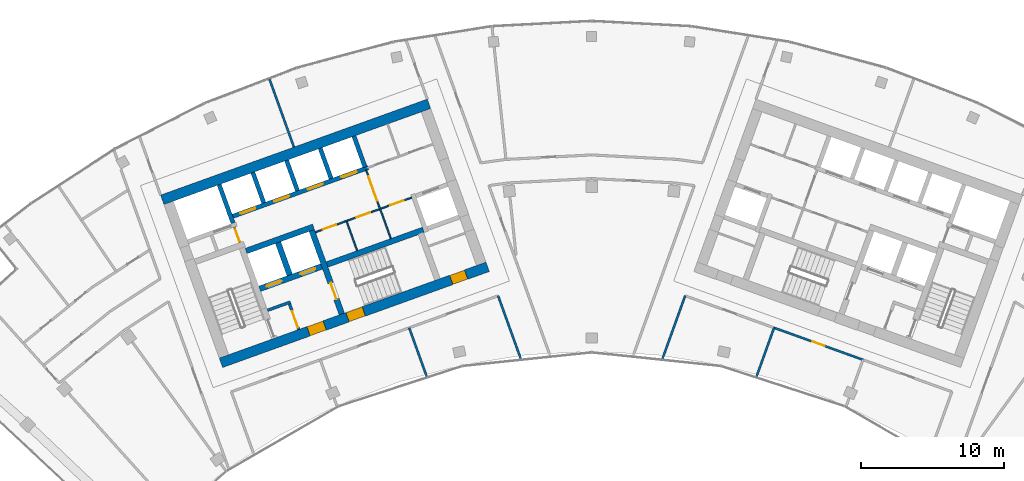
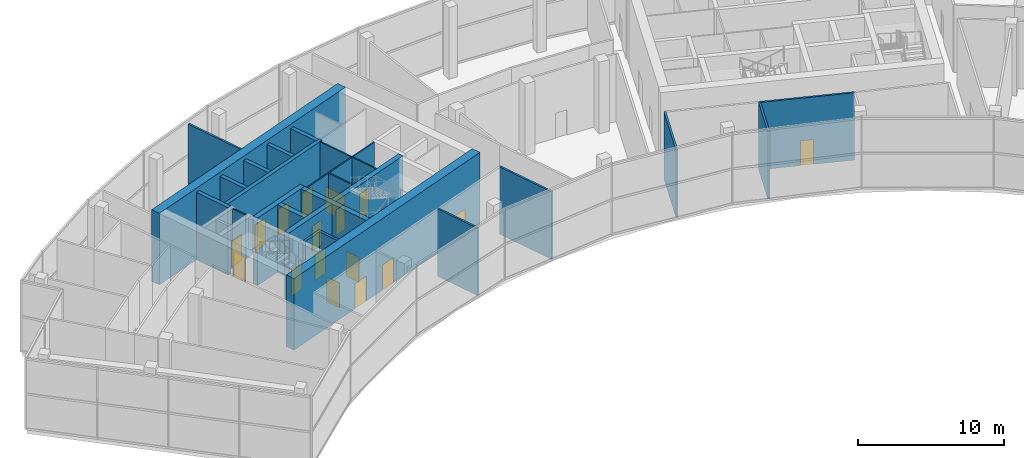
# One storey, part 12 of 18: 24 walls, 17 doors, 17 openings.
"""IFC4 building model written with IfcOpenShell, lengths in metres."""

from ifc_helpers import new_model, si_unit, direction, frame, frame_2d, origin, place, context, subcontext, project, spatial, rectangle, extrude, material, layer, layer_set, type_object, element, fill, save


model = new_model("IFC4")

# Units and contexts
model_context = context("Model", 3, precision=1e-05, world=origin(), true_north=direction((0.0, 1.0)))
body_context = subcontext(model_context, "Body", "Model", "MODEL_VIEW")
ifc_project = project(units=[si_unit("LENGTHUNIT", "METRE"), si_unit("AREAUNIT", "SQUARE_METRE"), si_unit("VOLUMEUNIT", "CUBIC_METRE"), si_unit("PLANEANGLEUNIT", "RADIAN"), si_unit("MASSUNIT", "GRAM", prefix="KILO")], contexts=[model_context])

# Site, building, storey
site_placement = place(None, origin())
site = spatial("IfcSite", under=ifc_project, at=site_placement, CompositionType="ELEMENT")
building_placement = place(site_placement, origin())
building = spatial("IfcBuilding", under=site, at=building_placement, Name="Stone Belt Terrace Tower", CompositionType="ELEMENT")
storey_placement = place(building_placement, frame((0.0, 0.0, 307.39990234375)))
storey = spatial("IfcBuildingStorey", under=building, at=storey_placement, Name="L75", CompositionType="ELEMENT", Elevation=307.39990234375)

# Wall, opening, door
ifc_material_1 = material(Name="Plasterboard partition")
ifc_layer_1 = layer(ifc_material_1, 0.10009765625)
ifc_layer_set_1 = layer_set([ifc_layer_1], Name="Core partition 100")
wall_type_1 = type_object("IfcWallType", Name="Core partition 100", PredefinedType="PARTITIONING", material=ifc_layer_set_1)
wall_1_placement = place(storey_placement, frame((-24.555908203125, 51.10400390625, 0.0), z_axis=(0.0, 0.0, 1.0), x_axis=(-0.338621735342, 0.94092258999, 0.0)))
wall_1 = element("IfcWall", 1, at=wall_1_placement, inside=storey, type_object=wall_type_1, Name="Core A wall", PredefinedType="PARTITIONING", context=body_context, shape_type="SweptSolid", body=[
    extrude(rectangle(XDim=1.14990234375, YDim=0.10009765625, at=frame_2d((0.574951171875, 0.0))), origin(), (0.0, 0.0, 1.0), 5.650146484375),
])
opening_1_placement = place(wall_1_placement, frame((0.050048828125, 0.0, 0.0)))
opening_1 = element("IfcOpeningElement", 2, at=opening_1_placement, cuts=wall_1, Name="Opening L75-C07", PredefinedType="OPENING", context=body_context, shape_type="SweptSolid", body=[
    extrude(rectangle(XDim=1.0, YDim=2.10009765625, at=frame_2d((0.5, 1.050048828125))), frame((0.0, 0.06005859375, 0.0), z_axis=(0.0, -1.0, 0.0), x_axis=(1.0, 0.0, 0.0)), (0.0, 0.0, 1.0), 0.1201171875),
])
ifc_material_2 = material(Name="Timber door leaf", Category="wood")
door_type_1 = type_object("IfcDoorType", Name="Core room door 1000", OperationType="SINGLE_SWING_LEFT", PredefinedType="DOOR", material=ifc_material_2)
door_1_placement = place(opening_1_placement, origin())
door_1 = element("IfcDoor", 3, at=door_1_placement, inside=storey, type_object=door_type_1, Name="Service lift lobby door core A", OperationType="SINGLE_SWING_LEFT", OverallHeight=2.10009765625, OverallWidth=1.0, PredefinedType="DOOR", context=body_context, shape_type="SweptSolid", body=[
    extrude(rectangle(XDim=1.0, YDim=2.10009765625, at=frame_2d((0.5, 1.050048828125))), frame((0.0, 0.02490234375, 0.0), z_axis=(0.0, -1.0, 0.0), x_axis=(1.0, 0.0, 0.0)), (0.0, 0.0, 1.0), 0.050048828125),
])
fill(opening_1, door_1)

# Wall, openings, doors
wall_2_placement = place(storey_placement, frame((-19.29052734375, 51.829833984375, 0.0), z_axis=(0.0, 0.0, 1.0), x_axis=(0.94092179465, 0.338623945331, 0.0)))
wall_2 = element("IfcWall", 4, at=wall_2_placement, inside=storey, type_object=wall_type_1, Name="Core A wall", PredefinedType="PARTITIONING", context=body_context, shape_type="SweptSolid", body=[
    extrude(rectangle(XDim=7.14990234375, YDim=0.10009765625, at=frame_2d((3.574951171875, 0.0))), origin(), (0.0, 0.0, 1.0), 5.650146484375),
])
opening_2_placement = place(wall_2_placement, frame((0.550048828125, 0.0, 0.0)))
opening_2 = element("IfcOpeningElement", 5, at=opening_2_placement, cuts=wall_2, Name="Opening L75-C03", PredefinedType="OPENING", context=body_context, shape_type="SweptSolid", body=[
    extrude(rectangle(XDim=1.0, YDim=2.10009765625, at=frame_2d((0.5, 1.050048828125))), frame((0.0, 0.06005859375, 0.0), z_axis=(0.0, -1.0, 0.0), x_axis=(1.0, 0.0, 0.0)), (0.0, 0.0, 1.0), 0.1201171875),
])
opening_3_placement = place(wall_2_placement, frame((3.050048828125, 0.0, 0.0)))
opening_3 = element("IfcOpeningElement", 6, at=opening_3_placement, cuts=wall_2, Name="Opening L75-C04", PredefinedType="OPENING", context=body_context, shape_type="SweptSolid", body=[
    extrude(rectangle(XDim=1.0, YDim=2.10009765625, at=frame_2d((0.5, 1.050048828125))), frame((0.0, 0.06005859375, 0.0), z_axis=(0.0, -1.0, 0.0), x_axis=(1.0, 0.0, 0.0)), (0.0, 0.0, 1.0), 0.1201171875),
])
opening_4_placement = place(wall_2_placement, frame((5.550048828125, 0.0, 0.0)))
opening_4 = element("IfcOpeningElement", 7, at=opening_4_placement, cuts=wall_2, Name="Opening L75-C05", PredefinedType="OPENING", context=body_context, shape_type="SweptSolid", body=[
    extrude(rectangle(XDim=1.0, YDim=2.10009765625, at=frame_2d((0.5, 1.050048828125))), frame((0.0, 0.06005859375, 0.0), z_axis=(0.0, -1.0, 0.0), x_axis=(1.0, 0.0, 0.0)), (0.0, 0.0, 1.0), 0.1201171875),
])
door_2_placement = place(opening_2_placement, origin())
door_2 = element("IfcDoor", 8, at=door_2_placement, inside=storey, type_object=door_type_1, Name="Door to Ventilation plant room core A", OperationType="SINGLE_SWING_LEFT", OverallHeight=2.10009765625, OverallWidth=1.0, PredefinedType="DOOR", context=body_context, shape_type="SweptSolid", body=[
    extrude(rectangle(XDim=1.0, YDim=2.10009765625, at=frame_2d((0.5, 1.050048828125))), frame((0.0, 0.02490234375, 0.0), z_axis=(0.0, -1.0, 0.0), x_axis=(1.0, 0.0, 0.0)), (0.0, 0.0, 1.0), 0.050048828125),
])
fill(opening_2, door_2)
door_3_placement = place(opening_3_placement, origin())
door_3 = element("IfcDoor", 9, at=door_3_placement, inside=storey, type_object=door_type_1, Name="Door to Services store core A", OperationType="SINGLE_SWING_RIGHT", OverallHeight=2.10009765625, OverallWidth=1.0, PredefinedType="DOOR", context=body_context, shape_type="SweptSolid", body=[
    extrude(rectangle(XDim=1.0, YDim=2.10009765625, at=frame_2d((0.5, 1.050048828125))), frame((0.0, 0.02490234375, 0.0), z_axis=(0.0, -1.0, 0.0), x_axis=(1.0, 0.0, 0.0)), (0.0, 0.0, 1.0), 0.050048828125),
])
fill(opening_3, door_3)
door_4_placement = place(opening_4_placement, origin())
door_4 = element("IfcDoor", 10, at=door_4_placement, inside=storey, type_object=door_type_1, Name="Door to Server room core A", OperationType="SINGLE_SWING_LEFT", OverallHeight=2.10009765625, OverallWidth=1.0, PredefinedType="DOOR", context=body_context, shape_type="SweptSolid", body=[
    extrude(rectangle(XDim=1.0, YDim=2.10009765625, at=frame_2d((0.5, 1.050048828125))), frame((0.0, 0.02490234375, 0.0), z_axis=(0.0, -1.0, 0.0), x_axis=(1.0, 0.0, 0.0)), (0.0, 0.0, 1.0), 0.050048828125),
])
fill(opening_4, door_4)

# Wall
wall_3_placement = place(storey_placement, frame((-16.38134765625, 50.53857421875, 0.0), z_axis=(0.0, 0.0, 1.0), x_axis=(-0.338622960269, 0.940922149159, 0.0)))
element("IfcWall", 11, at=wall_3_placement, inside=storey, type_object=wall_type_1, Name="Core A wall", PredefinedType="PARTITIONING", context=body_context, shape_type="SweptSolid", body=[
    extrude(rectangle(XDim=2.14990234375, YDim=0.10009765625, at=frame_2d((1.074951171875, 0.0))), origin(), (0.0, 0.0, 1.0), 5.650146484375),
])

# Wall, opening, door
wall_4_placement = place(storey_placement, frame((-14.029052734375, 51.38525390625, 0.0), z_axis=(0.0, 0.0, 1.0), x_axis=(-0.338643184627, 0.940914870488, 0.0)))
wall_4 = element("IfcWall", 12, at=wall_4_placement, inside=storey, type_object=wall_type_1, Name="Core A wall", PredefinedType="PARTITIONING", context=body_context, shape_type="SweptSolid", body=[
    extrude(rectangle(XDim=5.099853515625, YDim=0.10009765625, at=frame_2d((2.5498046875, 0.0))), origin(), (0.0, 0.0, 1.0), 5.650146484375),
])
opening_5_placement = place(wall_4_placement, frame((2.800048828125, 0.0, 0.0)))
opening_5 = element("IfcOpeningElement", 13, at=opening_5_placement, cuts=wall_4, Name="Opening L75-C08", PredefinedType="OPENING", context=body_context, shape_type="SweptSolid", body=[
    extrude(rectangle(XDim=1.800048828125, YDim=2.10009765625, at=frame_2d((0.89990234375, 1.050048828125))), frame((0.0, 0.06005859375, 0.0), z_axis=(0.0, -1.0, 0.0), x_axis=(1.0, 0.0, 0.0)), (0.0, 0.0, 1.0), 0.1201171875),
])
ifc_material_3 = material(Name="Glazed aluminium door leaf", Category="aluminium")
door_type_2 = type_object("IfcDoorType", Name="Lift lobby entrance door 1800", OperationType="DOUBLE_DOOR_SINGLE_SWING", PredefinedType="DOOR", material=ifc_material_3)
door_5_placement = place(opening_5_placement, origin())
door_5 = element("IfcDoor", 14, at=door_5_placement, inside=storey, type_object=door_type_2, Name="Lift lobby double door core A", OperationType="DOUBLE_DOOR_SINGLE_SWING", OverallHeight=2.10009765625, OverallWidth=1.800048828125, PredefinedType="DOOR", context=body_context, shape_type="SweptSolid", body=[
    extrude(rectangle(XDim=1.800048828125, YDim=2.10009765625, at=frame_2d((0.89990234375, 1.050048828125))), frame((0.0, 0.02490234375, 0.0), z_axis=(0.0, -1.0, 0.0), x_axis=(1.0, 0.0, 0.0)), (0.0, 0.0, 1.0), 0.050048828125),
])
fill(opening_5, door_5)

# Wall, openings, doors
ifc_material_4 = material(Name="Concrete B60", Category="concrete")
ifc_layer_2 = layer(ifc_material_4, 0.699951171875)
ifc_layer_set_2 = layer_set([ifc_layer_2], Name="Core wall 700 B60")
wall_type_2 = type_object("IfcWallType", Name="Core wall 700 B60", PredefinedType="SHEAR", material=ifc_layer_set_2)
wall_5_placement = place(storey_placement, frame((-25.890869140625, 42.705810546875, 0.0), z_axis=(0.0, 0.0, 1.0), x_axis=(0.940925130461, 0.338614676094, 0.0)))
wall_5 = element("IfcWall", 15, at=wall_5_placement, inside=storey, type_object=wall_type_2, Name="Core A wall concave L75", PredefinedType="SHEAR", context=body_context, shape_type="SweptSolid", body=[
    extrude(rectangle(XDim=19.800048828125, YDim=0.699951171875, at=frame_2d((9.89990234375, 0.0))), origin(), (0.0, 0.0, 1.0), 6.0),
])
opening_6_placement = place(wall_5_placement, frame((6.5, 0.0, 0.0)))
opening_6 = element("IfcOpeningElement", 16, at=opening_6_placement, cuts=wall_5, Name="Opening L75-C12", PredefinedType="OPENING", context=body_context, shape_type="SweptSolid", body=[
    extrude(rectangle(XDim=1.199951171875, YDim=2.10009765625, at=frame_2d((0.60009765625, 1.050048828125))), frame((0.0, 0.35986328125, 0.0), z_axis=(0.0, -1.0, 0.0), x_axis=(1.0, 0.0, 0.0)), (0.0, 0.0, 1.0), 0.719970703125),
])
opening_7_placement = place(wall_5_placement, frame((9.39990234375, 0.0, 0.0)))
opening_7 = element("IfcOpeningElement", 17, at=opening_7_placement, cuts=wall_5, Name="Opening L75-C14", PredefinedType="OPENING", context=body_context, shape_type="SweptSolid", body=[
    extrude(rectangle(XDim=1.199951171875, YDim=2.10009765625, at=frame_2d((0.60009765625, 1.050048828125))), frame((0.0, 0.35986328125, 0.0), z_axis=(0.0, -1.0, 0.0), x_axis=(1.0, 0.0, 0.0)), (0.0, 0.0, 1.0), 0.719970703125),
])
opening_8_placement = place(wall_5_placement, frame((17.10009765625, 0.0, 0.0)))
opening_8 = element("IfcOpeningElement", 18, at=opening_8_placement, cuts=wall_5, Name="Opening L75-C15", PredefinedType="OPENING", context=body_context, shape_type="SweptSolid", body=[
    extrude(rectangle(XDim=1.10009765625, YDim=2.10009765625, at=frame_2d((0.550048828125, 1.050048828125))), frame((0.0, 0.35986328125, 0.0), z_axis=(0.0, -1.0, 0.0), x_axis=(1.0, 0.0, 0.0)), (0.0, 0.0, 1.0), 0.719970703125),
])
door_type_3 = type_object("IfcDoorType", Name="Core room door 1100", OperationType="SINGLE_SWING_LEFT", PredefinedType="DOOR", material=ifc_material_2)
door_6_placement = place(opening_8_placement, origin())
door_6 = element("IfcDoor", 19, at=door_6_placement, inside=storey, type_object=door_type_3, Name="Door to Visitor accessible WC core A", OperationType="SINGLE_SWING_RIGHT", OverallHeight=2.10009765625, OverallWidth=1.10009765625, PredefinedType="DOOR", context=body_context, shape_type="SweptSolid", body=[
    extrude(rectangle(XDim=1.10009765625, YDim=2.10009765625, at=frame_2d((0.550048828125, 1.050048828125))), frame((0.0, 0.330078125, 0.0), z_axis=(0.0, -1.0, 0.0), x_axis=(1.0, 0.0, 0.0)), (0.0, 0.0, 1.0), 0.659912109375),
])
fill(opening_8, door_6)
ifc_material_5 = material(Name="Steel door leaf", Category="steel")
door_type_4 = type_object("IfcDoorType", Name="Fire-fighting lobby door 1200", OperationType="SINGLE_SWING_LEFT", PredefinedType="DOOR", material=ifc_material_5)
door_7_placement = place(opening_6_placement, origin())
door_7 = element("IfcDoor", 20, at=door_7_placement, inside=storey, type_object=door_type_4, Name="Fire-fighting lobby door core A", OperationType="SINGLE_SWING_LEFT", OverallHeight=2.10009765625, OverallWidth=1.199951171875, PredefinedType="DOOR", context=body_context, shape_type="SweptSolid", body=[
    extrude(rectangle(XDim=1.199951171875, YDim=2.10009765625, at=frame_2d((0.60009765625, 1.050048828125))), frame((0.0, 0.330078125, 0.0), z_axis=(0.0, -1.0, 0.0), x_axis=(1.0, 0.0, 0.0)), (0.0, 0.0, 1.0), 0.659912109375),
])
fill(opening_6, door_7)
door_type_5 = type_object("IfcDoorType", Name="Stair door 1200", OperationType="SINGLE_SWING_LEFT", PredefinedType="DOOR", material=ifc_material_5)
door_8_placement = place(opening_7_placement, origin())
door_8 = element("IfcDoor", 21, at=door_8_placement, inside=storey, type_object=door_type_5, Name="Stair 2 exit door core A", OperationType="SINGLE_SWING_RIGHT", OverallHeight=2.10009765625, OverallWidth=1.199951171875, PredefinedType="DOOR", context=body_context, shape_type="SweptSolid", body=[
    extrude(rectangle(XDim=1.199951171875, YDim=2.10009765625, at=frame_2d((0.60009765625, 1.050048828125))), frame((0.0, 0.330078125, 0.0), z_axis=(0.0, -1.0, 0.0), x_axis=(1.0, 0.0, 0.0)), (0.0, 0.0, 1.0), 0.659912109375),
])
fill(opening_7, door_8)

# Walls
wall_6_placement = place(storey_placement, frame((-29.988037109375, 54.0908203125, 0.0), z_axis=(0.0, 0.0, 1.0), x_axis=(0.940919787944, 0.33862952124, 0.0)))
element("IfcWall", 22, at=wall_6_placement, inside=storey, type_object=wall_type_2, Name="Core A wall convex L75", PredefinedType="SHEAR", context=body_context, shape_type="SweptSolid", body=[
    extrude(rectangle(XDim=19.7998046875, YDim=0.699951171875, at=frame_2d((9.89990234375, 0.0))), origin(), (0.0, 0.0, 1.0), 6.0),
])
ifc_material_6 = material(Name="Concrete B80", Category="concrete")
ifc_layer_3 = layer(ifc_material_6, 0.39990234375)
ifc_layer_set_3 = layer_set([ifc_layer_3], Name="Fire-fighting lift shaft wall 400")
wall_type_3 = type_object("IfcWallType", Name="Fire-fighting lift shaft wall 400", PredefinedType="SHEAR", material=ifc_layer_set_3)
wall_7_placement = place(storey_placement, frame((-24.130615234375, 50.512939453125, 0.0), z_axis=(0.0, 0.0, 1.0), x_axis=(0.94091168377, 0.338652038744, 0.0)))
element("IfcWall", 23, at=wall_7_placement, inside=storey, type_object=wall_type_3, Name="Core A wall", PredefinedType="SHEAR", context=body_context, shape_type="SweptSolid", body=[
    extrude(rectangle(XDim=5.000244140625, YDim=0.39990234375, at=frame_2d((2.5, 0.0))), origin(), (0.0, 0.0, 1.0), 5.650146484375),
])
wall_8_placement = place(storey_placement, frame((-21.0859375, 48.845458984375, 0.0), z_axis=(0.0, 0.0, 1.0), x_axis=(-0.338629416206, 0.940919825745, 0.0)))
element("IfcWall", 24, at=wall_8_placement, inside=storey, type_object=wall_type_3, Name="Core A wall", PredefinedType="SHEAR", context=body_context, shape_type="SweptSolid", body=[
    extrude(rectangle(XDim=2.400146484375, YDim=0.39990234375, at=frame_2d((1.2001953125, 0.0))), origin(), (0.0, 0.0, 1.0), 5.650146484375),
])
ifc_layer_4 = layer(ifc_material_6, 0.300048828125)
ifc_layer_set_4 = layer_set([ifc_layer_4], Name="Lift shaft wall 300")
wall_type_4 = type_object("IfcWallType", Name="Lift shaft wall 300", PredefinedType="SHEAR", material=ifc_layer_set_4)
wall_9_placement = place(storey_placement, frame((-25.046875, 52.46826171875, 0.0), z_axis=(0.0, 0.0, 1.0), x_axis=(-0.338549588058, 0.940948551423, 0.0)))
element("IfcWall", 25, at=wall_9_placement, inside=storey, type_object=wall_type_4, Name="Core A wall", PredefinedType="SHEAR", context=body_context, shape_type="SweptSolid", body=[
    extrude(rectangle(XDim=2.849853515625, YDim=0.300048828125, at=frame_2d((1.4248046875, 0.0))), origin(), (0.0, 0.0, 1.0), 5.650146484375),
])

# Wall, openings, doors
wall_10_placement = place(storey_placement, frame((-25.05810546875, 52.9423828125, 0.0), z_axis=(0.0, 0.0, 1.0), x_axis=(0.940917446785, 0.338636026339, 0.0)))
wall_10 = element("IfcWall", 26, at=wall_10_placement, inside=storey, type_object=wall_type_4, Name="Core A wall", PredefinedType="SHEAR", context=body_context, shape_type="SweptSolid", body=[
    extrude(rectangle(XDim=10.050048828125, YDim=0.300048828125, at=frame_2d((5.02490234375, 0.0))), origin(), (0.0, 0.0, 1.0), 5.650146484375),
])
opening_9_placement = place(wall_10_placement, frame((0.570068359375, 0.0, 0.0)))
opening_9 = element("IfcOpeningElement", 27, at=opening_9_placement, cuts=wall_10, Name="Opening L75-LD01", PredefinedType="OPENING", context=body_context, shape_type="SweptSolid", body=[
    extrude(rectangle(XDim=1.10009765625, YDim=2.199951171875, at=frame_2d((0.550048828125, 1.10009765625))), frame((0.0, 0.159912109375, 0.0), z_axis=(0.0, -1.0, 0.0), x_axis=(1.0, 0.0, 0.0)), (0.0, 0.0, 1.0), 0.320068359375),
])
opening_10_placement = place(wall_10_placement, frame((3.070068359375, 0.0, 0.0)))
opening_10 = element("IfcOpeningElement", 28, at=opening_10_placement, cuts=wall_10, Name="Opening L75-LD02", PredefinedType="OPENING", context=body_context, shape_type="SweptSolid", body=[
    extrude(rectangle(XDim=1.10009765625, YDim=2.199951171875, at=frame_2d((0.550048828125, 1.10009765625))), frame((0.0, 0.159912109375, 0.0), z_axis=(0.0, -1.0, 0.0), x_axis=(1.0, 0.0, 0.0)), (0.0, 0.0, 1.0), 0.320068359375),
])
opening_11_placement = place(wall_10_placement, frame((5.570068359375, 0.0, 0.0)))
opening_11 = element("IfcOpeningElement", 29, at=opening_11_placement, cuts=wall_10, Name="Opening L75-LD03", PredefinedType="OPENING", context=body_context, shape_type="SweptSolid", body=[
    extrude(rectangle(XDim=1.10009765625, YDim=2.199951171875, at=frame_2d((0.550048828125, 1.10009765625))), frame((0.0, 0.159912109375, 0.0), z_axis=(0.0, -1.0, 0.0), x_axis=(1.0, 0.0, 0.0)), (0.0, 0.0, 1.0), 0.320068359375),
])
opening_12_placement = place(wall_10_placement, frame((8.070068359375, 0.0, 0.0)))
opening_12 = element("IfcOpeningElement", 30, at=opening_12_placement, cuts=wall_10, Name="Opening L75-LD04", PredefinedType="OPENING", context=body_context, shape_type="SweptSolid", body=[
    extrude(rectangle(XDim=1.10009765625, YDim=2.199951171875, at=frame_2d((0.550048828125, 1.10009765625))), frame((0.0, 0.159912109375, 0.0), z_axis=(0.0, -1.0, 0.0), x_axis=(1.0, 0.0, 0.0)), (0.0, 0.0, 1.0), 0.320068359375),
])
ifc_material_7 = material(Name="Stainless steel door leaf", Category="steel")
door_type_6 = type_object("IfcDoorType", Name="Landing door 1100", OperationType="SLIDING_TO_LEFT", PredefinedType="DOOR", material=ifc_material_7)
door_9_placement = place(opening_9_placement, origin())
door_9 = element("IfcDoor", 31, at=door_9_placement, inside=storey, type_object=door_type_6, Name="Landing door HR1 core A", OperationType="SLIDING_TO_LEFT", OverallHeight=2.199951171875, OverallWidth=1.10009765625, PredefinedType="DOOR", context=body_context, shape_type="SweptSolid", body=[
    extrude(rectangle(XDim=1.10009765625, YDim=2.199951171875, at=frame_2d((0.550048828125, 1.10009765625))), frame((0.0, 0.02490234375, 0.0), z_axis=(0.0, -1.0, 0.0), x_axis=(1.0, 0.0, 0.0)), (0.0, 0.0, 1.0), 0.050048828125),
])
fill(opening_9, door_9)
door_10_placement = place(opening_10_placement, origin())
door_10 = element("IfcDoor", 32, at=door_10_placement, inside=storey, type_object=door_type_6, Name="Landing door HR2 core A", OperationType="SLIDING_TO_LEFT", OverallHeight=2.199951171875, OverallWidth=1.10009765625, PredefinedType="DOOR", context=body_context, shape_type="SweptSolid", body=[
    extrude(rectangle(XDim=1.10009765625, YDim=2.199951171875, at=frame_2d((0.550048828125, 1.10009765625))), frame((0.0, 0.02490234375, 0.0), z_axis=(0.0, -1.0, 0.0), x_axis=(1.0, 0.0, 0.0)), (0.0, 0.0, 1.0), 0.050048828125),
])
fill(opening_10, door_10)
door_11_placement = place(opening_11_placement, origin())
door_11 = element("IfcDoor", 33, at=door_11_placement, inside=storey, type_object=door_type_6, Name="Landing door HR3 core A", OperationType="SLIDING_TO_LEFT", OverallHeight=2.199951171875, OverallWidth=1.10009765625, PredefinedType="DOOR", context=body_context, shape_type="SweptSolid", body=[
    extrude(rectangle(XDim=1.10009765625, YDim=2.199951171875, at=frame_2d((0.550048828125, 1.10009765625))), frame((0.0, 0.02490234375, 0.0), z_axis=(0.0, -1.0, 0.0), x_axis=(1.0, 0.0, 0.0)), (0.0, 0.0, 1.0), 0.050048828125),
])
fill(opening_11, door_11)
door_12_placement = place(opening_12_placement, origin())
door_12 = element("IfcDoor", 34, at=door_12_placement, inside=storey, type_object=door_type_6, Name="Landing door HR4 core A", OperationType="SLIDING_TO_LEFT", OverallHeight=2.199951171875, OverallWidth=1.10009765625, PredefinedType="DOOR", context=body_context, shape_type="SweptSolid", body=[
    extrude(rectangle(XDim=1.10009765625, YDim=2.199951171875, at=frame_2d((0.550048828125, 1.10009765625))), frame((0.0, 0.02490234375, 0.0), z_axis=(0.0, -1.0, 0.0), x_axis=(1.0, 0.0, 0.0)), (0.0, 0.0, 1.0), 0.050048828125),
])
fill(opening_12, door_12)

# Walls
wall_11_placement = place(storey_placement, frame((-22.897705078125, 53.87939453125, 0.0), z_axis=(0.0, 0.0, 1.0), x_axis=(-0.338535034312, 0.940953787677, 0.0)))
element("IfcWall", 35, at=wall_11_placement, inside=storey, type_object=wall_type_4, Name="Core A wall", PredefinedType="SHEAR", context=body_context, shape_type="SweptSolid", body=[
    extrude(rectangle(XDim=2.25, YDim=0.300048828125, at=frame_2d((1.125, 0.0))), origin(), (0.0, 0.0, 1.0), 5.650146484375),
])
wall_12_placement = place(storey_placement, frame((-20.54541015625, 54.72607421875, 0.0), z_axis=(0.0, 0.0, 1.0), x_axis=(-0.338569601369, 0.940941350472, 0.0)))
element("IfcWall", 36, at=wall_12_placement, inside=storey, type_object=wall_type_4, Name="Core A wall", PredefinedType="SHEAR", context=body_context, shape_type="SweptSolid", body=[
    extrude(rectangle(XDim=2.249755859375, YDim=0.300048828125, at=frame_2d((1.125, 0.0))), origin(), (0.0, 0.0, 1.0), 5.650146484375),
])
wall_13_placement = place(storey_placement, frame((-18.193115234375, 55.572509765625, 0.0), z_axis=(0.0, 0.0, 1.0), x_axis=(-0.338535034312, 0.940953787677, 0.0)))
element("IfcWall", 37, at=wall_13_placement, inside=storey, type_object=wall_type_4, Name="Core A wall", PredefinedType="SHEAR", context=body_context, shape_type="SweptSolid", body=[
    extrude(rectangle(XDim=2.25, YDim=0.300048828125, at=frame_2d((1.125, 0.0))), origin(), (0.0, 0.0, 1.0), 5.650146484375),
])
wall_14_placement = place(storey_placement, frame((-15.82373046875, 56.3720703125, 0.0), z_axis=(0.0, 0.0, 1.0), x_axis=(-0.338621735342, 0.94092258999, 0.0)))
element("IfcWall", 38, at=wall_14_placement, inside=storey, type_object=wall_type_4, Name="Core A wall", PredefinedType="SHEAR", context=body_context, shape_type="SweptSolid", body=[
    extrude(rectangle(XDim=2.300048828125, YDim=0.300048828125, at=frame_2d((1.14990234375, 0.0))), origin(), (0.0, 0.0, 1.0), 5.650146484375),
])
ifc_material_8 = material(Name="Gypsum board partition")
ifc_layer_5 = layer(ifc_material_8, 0.14990234375)
ifc_layer_set_5 = layer_set([ifc_layer_5], Name="PARTITION 150 EI 60")
wall_type_5 = type_object("IfcWallType", Name="PARTITION 150 EI 60", PredefinedType="PARTITIONING", material=ifc_layer_set_5)
wall_15_placement = place(storey_placement, frame((-4.9462890625, 42.980224609375, 0.0), z_axis=(0.0, 0.0, 1.0), x_axis=(-0.338653121837, 0.940911293943, 0.0)))
element("IfcWall", 39, at=wall_15_placement, inside=storey, type_object=wall_type_5, Name="L75/wall/i009", PredefinedType="PARTITIONING", context=body_context, shape_type="SweptSolid", body=[
    extrude(rectangle(XDim=4.69091796875, YDim=0.14990234375, at=frame_2d((2.345458984375, 0.0))), origin(), (0.0, 0.0, 1.0), 5.650146484375),
])
wall_16_placement = place(storey_placement, frame((-12.742919921875, 45.153076171875, 0.0), z_axis=(0.0, 0.0, 1.0), x_axis=(0.338612024212, -0.940926084801, 0.0)))
element("IfcWall", 40, at=wall_16_placement, inside=storey, type_object=wall_type_5, Name="L75/wall/i019", PredefinedType="PARTITIONING", context=body_context, shape_type="SweptSolid", body=[
    extrude(rectangle(XDim=3.620849609375, YDim=0.14990234375, at=frame_2d((1.810546875, 0.0))), origin(), (0.0, 0.0, 1.0), 5.650146484375),
])
wall_17_placement = place(storey_placement, frame((-22.492919921875, 62.4990234375, 0.0), z_axis=(0.0, 0.0, 1.0), x_axis=(0.33863857163, -0.940916530732, 0.0)))
element("IfcWall", 41, at=wall_17_placement, inside=storey, type_object=wall_type_5, Name="L75/wall/i020", PredefinedType="PARTITIONING", context=body_context, shape_type="SweptSolid", body=[
    extrude(rectangle(XDim=5.02294921875, YDim=0.14990234375, at=frame_2d((2.511474609375, 0.0))), origin(), (0.0, 0.0, 1.0), 5.650146484375),
])
wall_18_placement = place(storey_placement, frame((6.534912109375, 47.39404296875, 0.0), z_axis=(0.0, 0.0, 1.0), x_axis=(-0.338653121837, -0.940911293943, 0.0)))
element("IfcWall", 42, at=wall_18_placement, inside=storey, type_object=wall_type_5, Name="L75/wall/i021", PredefinedType="PARTITIONING", context=body_context, shape_type="SweptSolid", body=[
    extrude(rectangle(XDim=4.69091796875, YDim=0.14990234375, at=frame_2d((2.345458984375, 0.0))), origin(), (0.0, 0.0, 1.0), 5.650146484375),
])

# Wall, opening, door
wall_19_placement = place(storey_placement, frame((18.958984375, 42.916015625, 0.0), z_axis=(0.0, 0.0, 1.0), x_axis=(-0.940929764212, 0.338601799788, 0.0)))
wall_19 = element("IfcWall", 43, at=wall_19_placement, inside=storey, type_object=wall_type_5, Name="L75/wall/i032", PredefinedType="PARTITIONING", context=body_context, shape_type="SweptSolid", body=[
    extrude(rectangle(XDim=6.612548828125, YDim=0.14990234375, at=frame_2d((3.30615234375, 0.0))), origin(), (0.0, 0.0, 1.0), 5.650146484375),
])
opening_13_placement = place(wall_19_placement, frame((2.856201171875, 0.0, 0.0)))
opening_13 = element("IfcOpeningElement", 44, at=opening_13_placement, cuts=wall_19, Name="Opening D-OBS-07", PredefinedType="OPENING", context=body_context, shape_type="SweptSolid", body=[
    extrude(rectangle(XDim=0.89990234375, YDim=2.10009765625, at=frame_2d((0.449951171875, 1.050048828125))), frame((0.0, 0.0849609375, 0.0), z_axis=(0.0, -1.0, 0.0), x_axis=(1.0, 0.0, 0.0)), (0.0, 0.0, 1.0), 0.169921875),
])
door_type_7 = type_object("IfcDoorType", Name="OFFICE DOOR 900 X 2100", OperationType="NOTDEFINED", PredefinedType="DOOR", material=ifc_material_2)
door_13_placement = place(opening_13_placement, origin())
door_13 = element("IfcDoor", 45, at=door_13_placement, inside=storey, type_object=door_type_7, Name="L75/door/i07", OperationType="SINGLE_SWING_RIGHT", OverallHeight=2.10009765625, OverallWidth=0.89990234375, PredefinedType="DOOR", context=body_context, shape_type="SweptSolid", body=[
    extrude(rectangle(XDim=0.89990234375, YDim=2.10009765625, at=frame_2d((0.449951171875, 1.050048828125))), frame((0.0, 0.02490234375, 0.0), z_axis=(0.0, -1.0, 0.0), x_axis=(1.0, 0.0, 0.0)), (0.0, 0.0, 1.0), 0.050048828125),
])
fill(opening_13, door_13)

# Walls
wall_20_placement = place(storey_placement, frame((12.742919921875, 45.153076171875, 0.0), z_axis=(0.0, 0.0, 1.0), x_axis=(-0.338612024212, -0.940926084801, 0.0)))
element("IfcWall", 46, at=wall_20_placement, inside=storey, type_object=wall_type_5, Name="L75/wall/i034", PredefinedType="PARTITIONING", context=body_context, shape_type="SweptSolid", body=[
    extrude(rectangle(XDim=3.620849609375, YDim=0.14990234375, at=frame_2d((1.810546875, 0.0))), origin(), (0.0, 0.0, 1.0), 5.650146484375),
])
ifc_material_9 = material(Name="Concrete masonry block", Category="masonry")
ifc_layer_6 = layer(ifc_material_9, 0.199951171875)
ifc_layer_set_6 = layer_set([ifc_layer_6], Name="Rated lobby wall 200")
wall_type_6 = type_object("IfcWallType", Name="Rated lobby wall 200", PredefinedType="PARTITIONING", material=ifc_layer_set_6)
wall_21_placement = place(storey_placement, frame((-22.640625, 46.373046875, 0.0), z_axis=(0.0, 0.0, 1.0), x_axis=(0.940966110313, 0.338500781747, 0.0)))
element("IfcWall", 47, at=wall_21_placement, inside=storey, type_object=wall_type_6, Name="Core A wall", PredefinedType="PARTITIONING", context=body_context, shape_type="SweptSolid", body=[
    extrude(rectangle(XDim=1.699951171875, YDim=0.199951171875, at=frame_2d((0.85009765625, 0.0))), origin(), (0.0, 0.0, 1.0), 5.650146484375),
])

# Wall, opening, door
wall_22_placement = place(storey_placement, frame((-20.4580078125, 45.032958984375, 0.0), z_axis=(0.0, 0.0, 1.0), x_axis=(-0.338573865316, 0.940939816208, 0.0)))
wall_22 = element("IfcWall", 48, at=wall_22_placement, inside=storey, type_object=wall_type_6, Name="Core A wall", PredefinedType="PARTITIONING", context=body_context, shape_type="SweptSolid", body=[
    extrude(rectangle(XDim=1.900146484375, YDim=0.199951171875, at=frame_2d((0.9501953125, 0.0))), origin(), (0.0, 0.0, 1.0), 5.650146484375),
])
opening_14_placement = place(wall_22_placement, frame((0.14990234375, 0.0, 0.0)))
opening_14 = element("IfcOpeningElement", 49, at=opening_14_placement, cuts=wall_22, Name="Opening L75-C11", PredefinedType="OPENING", context=body_context, shape_type="SweptSolid", body=[
    extrude(rectangle(XDim=1.199951171875, YDim=2.10009765625, at=frame_2d((0.60009765625, 1.050048828125))), frame((0.0, 0.10986328125, 0.0), z_axis=(0.0, -1.0, 0.0), x_axis=(1.0, 0.0, 0.0)), (0.0, 0.0, 1.0), 0.219970703125),
])
door_14_placement = place(opening_14_placement, origin())
door_14 = element("IfcDoor", 50, at=door_14_placement, inside=storey, type_object=door_type_5, Name="Stair airlock door core A", OperationType="SINGLE_SWING_LEFT", OverallHeight=2.10009765625, OverallWidth=1.199951171875, PredefinedType="DOOR", context=body_context, shape_type="SweptSolid", body=[
    extrude(rectangle(XDim=1.199951171875, YDim=2.10009765625, at=frame_2d((0.60009765625, 1.050048828125))), frame((0.0, 0.02490234375, 0.0), z_axis=(0.0, -1.0, 0.0), x_axis=(1.0, 0.0, 0.0)), (0.0, 0.0, 1.0), 0.050048828125),
])
fill(opening_14, door_14)

# Wall, openings, doors
ifc_layer_7 = layer(ifc_material_6, 0.39990234375)
ifc_layer_set_7 = layer_set([ifc_layer_7], Name="Stair enclosure wall 400")
wall_type_7 = type_object("IfcWallType", Name="Stair enclosure wall 400", PredefinedType="SHEAR", material=ifc_layer_set_7)
wall_23_placement = place(storey_placement, frame((-23.182373046875, 47.87841796875, 0.0), z_axis=(0.0, 0.0, 1.0), x_axis=(0.940921731919, 0.338624119641, 0.0)))
wall_23 = element("IfcWall", 51, at=wall_23_placement, inside=storey, type_object=wall_type_7, Name="Core A wall", PredefinedType="SHEAR", context=body_context, shape_type="SweptSolid", body=[
    extrude(rectangle(XDim=12.14990234375, YDim=0.39990234375, at=frame_2d((6.074951171875, 0.0))), origin(), (0.0, 0.0, 1.0), 5.650146484375),
])
opening_15_placement = place(wall_23_placement, frame((0.52001953125, 0.0, 0.0)))
opening_15 = element("IfcOpeningElement", 52, at=opening_15_placement, cuts=wall_23, Name="Opening L75-LD05", PredefinedType="OPENING", context=body_context, shape_type="SweptSolid", body=[
    extrude(rectangle(XDim=1.10009765625, YDim=2.199951171875, at=frame_2d((0.550048828125, 1.10009765625))), frame((0.0, 0.2099609375, 0.0), z_axis=(0.0, -1.0, 0.0), x_axis=(1.0, 0.0, 0.0)), (0.0, 0.0, 1.0), 0.419921875),
])
opening_16_placement = place(wall_23_placement, frame((3.02001953125, 0.0, 0.0)))
opening_16 = element("IfcOpeningElement", 53, at=opening_16_placement, cuts=wall_23, Name="Opening L75-LD06", PredefinedType="OPENING", context=body_context, shape_type="SweptSolid", body=[
    extrude(rectangle(XDim=1.10009765625, YDim=2.199951171875, at=frame_2d((0.550048828125, 1.10009765625))), frame((0.0, 0.2099609375, 0.0), z_axis=(0.0, -1.0, 0.0), x_axis=(1.0, 0.0, 0.0)), (0.0, 0.0, 1.0), 0.419921875),
])
door_15_placement = place(opening_15_placement, origin())
door_15 = element("IfcDoor", 54, at=door_15_placement, inside=storey, type_object=door_type_6, Name="Landing door FF1 core A", OperationType="SLIDING_TO_LEFT", OverallHeight=2.199951171875, OverallWidth=1.10009765625, PredefinedType="DOOR", context=body_context, shape_type="SweptSolid", body=[
    extrude(rectangle(XDim=1.10009765625, YDim=2.199951171875, at=frame_2d((0.550048828125, 1.10009765625))), frame((0.0, 0.02490234375, 0.0), z_axis=(0.0, -1.0, 0.0), x_axis=(1.0, 0.0, 0.0)), (0.0, 0.0, 1.0), 0.050048828125),
])
fill(opening_15, door_15)
door_16_placement = place(opening_16_placement, origin())
door_16 = element("IfcDoor", 55, at=door_16_placement, inside=storey, type_object=door_type_6, Name="Landing door FF2 core A", OperationType="SLIDING_TO_LEFT", OverallHeight=2.199951171875, OverallWidth=1.10009765625, PredefinedType="DOOR", context=body_context, shape_type="SweptSolid", body=[
    extrude(rectangle(XDim=1.10009765625, YDim=2.199951171875, at=frame_2d((0.550048828125, 1.10009765625))), frame((0.0, 0.02490234375, 0.0), z_axis=(0.0, -1.0, 0.0), x_axis=(1.0, 0.0, 0.0)), (0.0, 0.0, 1.0), 0.050048828125),
])
fill(opening_16, door_16)

# Wall, opening, door
wall_24_placement = place(storey_placement, frame((-17.447021484375, 46.116455078125, 0.0), z_axis=(0.0, 0.0, 1.0), x_axis=(-0.33860791464, 0.940927563707, 0.0)))
wall_24 = element("IfcWall", 56, at=wall_24_placement, inside=storey, type_object=wall_type_7, Name="Core A wall", PredefinedType="SHEAR", context=body_context, shape_type="SweptSolid", body=[
    extrude(rectangle(XDim=6.199951171875, YDim=0.39990234375, at=frame_2d((3.10009765625, 0.0))), origin(), (0.0, 0.0, 1.0), 5.650146484375),
])
opening_17_placement = place(wall_24_placement, frame((1.10009765625, 0.0, 0.0)))
opening_17 = element("IfcOpeningElement", 57, at=opening_17_placement, cuts=wall_24, Name="Opening L75-C13", PredefinedType="OPENING", context=body_context, shape_type="SweptSolid", body=[
    extrude(rectangle(XDim=1.199951171875, YDim=2.10009765625, at=frame_2d((0.60009765625, 1.050048828125))), frame((0.0, 0.2099609375, 0.0), z_axis=(0.0, -1.0, 0.0), x_axis=(1.0, 0.0, 0.0)), (0.0, 0.0, 1.0), 0.419921875),
])
door_17_placement = place(opening_17_placement, origin())
door_17 = element("IfcDoor", 58, at=door_17_placement, inside=storey, type_object=door_type_5, Name="Stair 2 door core A", OperationType="SINGLE_SWING_LEFT", OverallHeight=2.10009765625, OverallWidth=1.199951171875, PredefinedType="DOOR", context=body_context, shape_type="SweptSolid", body=[
    extrude(rectangle(XDim=1.199951171875, YDim=2.10009765625, at=frame_2d((0.60009765625, 1.050048828125))), frame((0.0, 0.02490234375, 0.0), z_axis=(0.0, -1.0, 0.0), x_axis=(1.0, 0.0, 0.0)), (0.0, 0.0, 1.0), 0.050048828125),
])
fill(opening_17, door_17)

save(model, "model.ifc")
